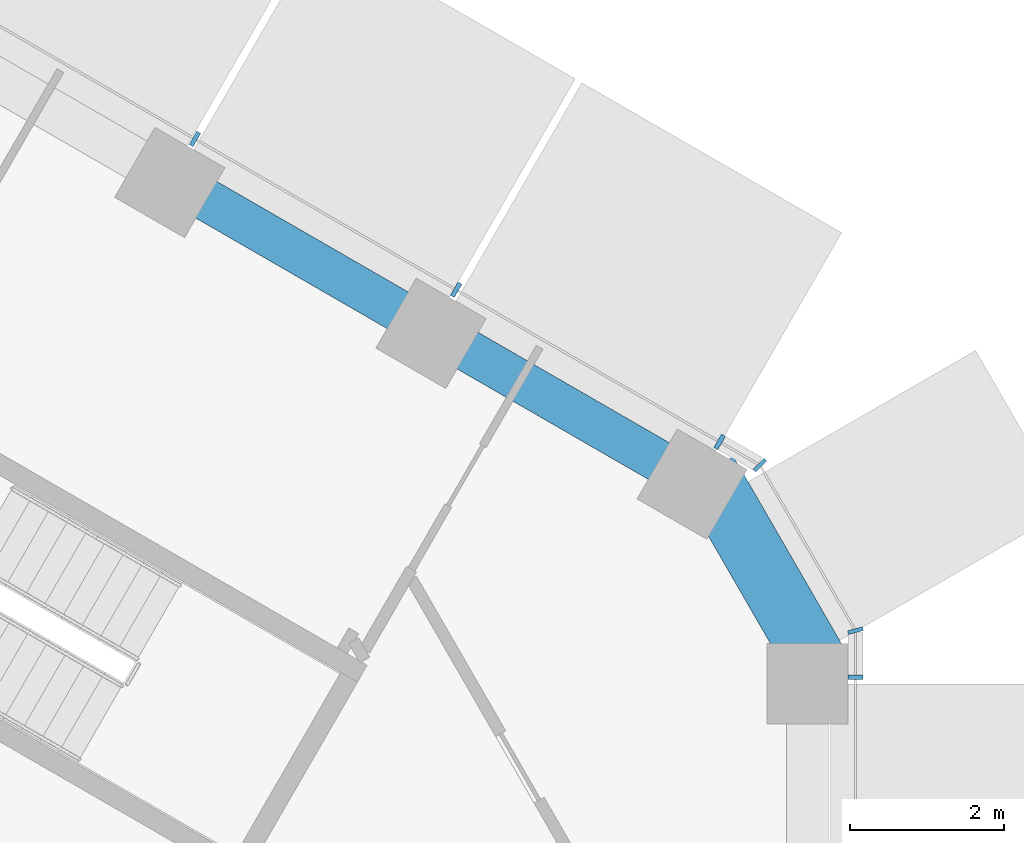
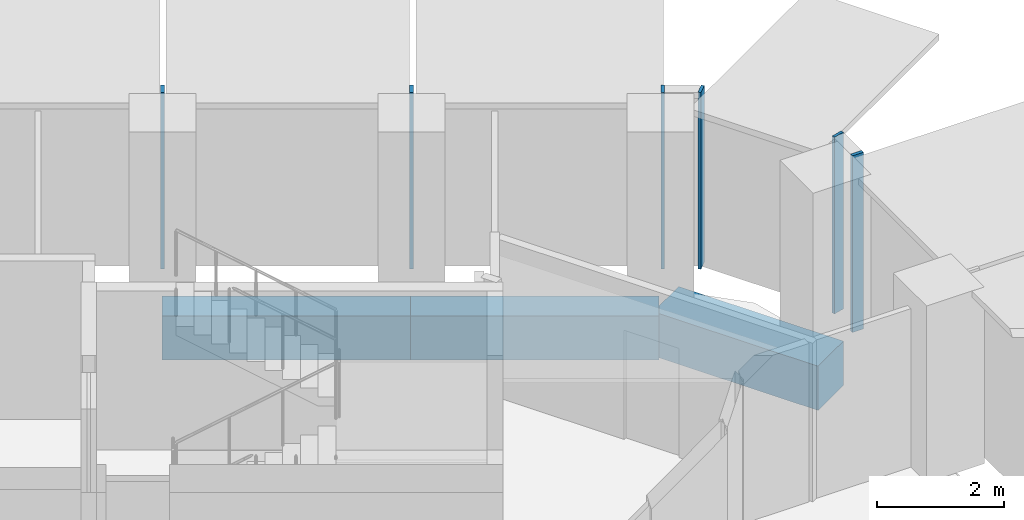
# One storey, part 6 of 18: 6 members, 3 beams, 3 elements without a shape of their own.
"""IFC4 building model written with IfcOpenShell, lengths in metres."""

import ifcopenshell
import ifcopenshell.guid

model = None  # the IFC model being written
_history = None  # IfcOwnerHistory: only IFC2X3 demands one
_inside = {}  # id of a spatial element -> (the spatial element, [elements in it])
_under = {}  # id of a project, library or spatial element -> (it, [spatial elements below it])
_declared = {}  # id of a project -> (the project, [libraries it declares])
_typed = {}  # id of a type object -> (the type object, [elements of that type])
_made_of = {}  # id of a material, layer set ... -> (it, [elements and type objects made of it])


def new_model(schema):
    """Start an empty IFC model of exactly this schema.

    Asked for "IFC4X3", IfcOpenShell would pick the latest addendum, in which some entities
    have other attributes; the version numbers below select the first issue.
    IFC2X3 requires an IfcOwnerHistory on every rooted entity: one is made here for all.
    """
    global model, _history
    if schema == "IFC4X3":
        model = ifcopenshell.file(schema_version=(4, 3, 0, 0))
    else:
        model = ifcopenshell.file(schema=schema)
    _inside.clear()
    _under.clear()
    _declared.clear()
    _typed.clear()
    _made_of.clear()
    _history = None
    if model.schema == "IFC2X3":
        org = make("IfcOrganization", Name="unknown")
        user = make(
            "IfcPersonAndOrganization",
            ThePerson=make("IfcPerson", FamilyName="unknown"),
            TheOrganization=org,
        )
        app = make(
            "IfcApplication",
            ApplicationDeveloper=org,
            Version="unknown",
            ApplicationFullName="unknown",
            ApplicationIdentifier="unknown",
        )
        _history = make(
            "IfcOwnerHistory",
            OwningUser=user,
            OwningApplication=app,
            ChangeAction="ADDED",
            CreationDate=0,
        )
    return model


def make(cls, **values):
    """One entity of the class cls with the attributes given. An attribute that is None is left unset."""
    return model.create_entity(
        cls, **{name: value for name, value in values.items() if value is not None}
    )


def rooted(cls, **values):
    """An entity with a GlobalId (a new one), such as an element, a storey or a relation."""
    return make(cls, GlobalId=ifcopenshell.guid.new(), OwnerHistory=_history, **values)


def si_unit(unit_type, name, prefix=None):
    """IfcSIUnit, for example si_unit("LENGTHUNIT", "METRE", prefix="MILLI")."""
    return make("IfcSIUnit", UnitType=unit_type, Prefix=prefix, Name=name)


def assignment(units):
    """IfcUnitAssignment: the units of a project."""
    return None if units is None else make("IfcUnitAssignment", Units=units)


def point(xyz):
    """IfcCartesianPoint."""
    return None if xyz is None else make("IfcCartesianPoint", Coordinates=xyz)


def direction(xyz):
    """IfcDirection."""
    return None if xyz is None else make("IfcDirection", DirectionRatios=xyz)


def frame(location, z_axis=None, x_axis=None):
    """IfcAxis2Placement3D, a coordinate frame: its origin and axes. An axis left out is left unset."""
    return make(
        "IfcAxis2Placement3D",
        Location=point(location),
        Axis=direction(z_axis),
        RefDirection=direction(x_axis),
    )


def frame_2d(location, x_axis=None):
    """IfcAxis2Placement2D, a coordinate frame in the plane: its origin and x axis."""
    return make(
        "IfcAxis2Placement2D", Location=point(location), RefDirection=direction(x_axis)
    )


def origin():
    """The frame at (0, 0, 0) with its axes left unset."""
    return frame((0.0, 0.0, 0.0))


def origin_2d():
    """The frame at (0, 0) in the plane with its x axis left unset."""
    return frame_2d((0.0, 0.0))


def place(relative_to, where):
    """IfcLocalPlacement: puts the frame where relative to a parent placement (None: the world)."""
    return make(
        "IfcLocalPlacement", PlacementRelTo=relative_to, RelativePlacement=where
    )


def context(
    kind, dimensions, precision=None, world=None, true_north=None, identifier=None
):
    """IfcGeometricRepresentationContext, for example the 3D "Model" context."""
    return make(
        "IfcGeometricRepresentationContext",
        ContextIdentifier=identifier,
        ContextType=kind,
        CoordinateSpaceDimension=dimensions,
        Precision=precision,
        WorldCoordinateSystem=world,
        TrueNorth=true_north,
    )


def subcontext(parent, identifier, kind, view, scale=None):
    """IfcGeometricRepresentationSubContext, for example "Body" below "Model"."""
    return make(
        "IfcGeometricRepresentationSubContext",
        ContextIdentifier=identifier,
        ContextType=kind,
        ParentContext=parent,
        TargetScale=scale,
        TargetView=view,
    )


def project(units=None, contexts=None):
    """IfcProject with its units and contexts."""
    return rooted(
        "IfcProject",
        Name="project",
        RepresentationContexts=contexts,
        UnitsInContext=assignment(units),
    )


def spatial(cls, under=None, at=None, **own):
    """A site, building, storey or space (cls), placed at a placement, below another one or the project."""
    s = rooted(cls, ObjectPlacement=at, **own)
    if under is not None:
        _under.setdefault(under.id(), (under, []))[1].append(s)
    return s


def profile(cls, at=None, kind="AREA", **sizes):
    """A parametric profile (cls). Its sizes go by their IFC names, for example OverallWidth=200.0."""
    return make(cls, ProfileType=kind, Position=at, **sizes)


def rectangle(**sizes):
    """IfcRectangleProfileDef."""
    return profile("IfcRectangleProfileDef", **sizes)


def extrude(swept, where, along, depth):
    """IfcExtrudedAreaSolid: the profile swept, set in the frame where, extruded along a direction by depth."""
    return make(
        "IfcExtrudedAreaSolid",
        SweptArea=swept,
        Position=where,
        ExtrudedDirection=direction(along),
        Depth=depth,
    )


def shape(context_of_items, identifier, shape_type, items):
    """IfcShapeRepresentation: the items that make up one representation, for example the "Body"."""
    return make(
        "IfcShapeRepresentation",
        ContextOfItems=context_of_items,
        RepresentationIdentifier=identifier,
        RepresentationType=shape_type,
        Items=items,
    )


def material(Name=None, Category=None):
    """IfcMaterial."""
    return make("IfcMaterial", Name=Name, Category=Category)


def layer(
    of_material, thickness, ventilated=None, Name=None, Category=None, Priority=None
):
    """IfcMaterialLayer: one layer of a wall or slab, of a material (None: an air gap)."""
    return make(
        "IfcMaterialLayer",
        Material=of_material,
        LayerThickness=thickness,
        IsVentilated=ventilated,
        Name=Name,
        Category=Category,
        Priority=Priority,
    )


def layer_set(layers, Name=None):
    """IfcMaterialLayerSet."""
    return make("IfcMaterialLayerSet", MaterialLayers=layers, LayerSetName=Name)


def material_profile(
    of_material, cross_section, Name=None, Category=None, Priority=None
):
    """IfcMaterialProfile: a cross section and its material."""
    return make(
        "IfcMaterialProfile",
        Name=Name,
        Material=of_material,
        Profile=cross_section,
        Priority=Priority,
        Category=Category,
    )


def profile_set(profiles, Name=None, composite=None):
    """IfcMaterialProfileSet."""
    return make(
        "IfcMaterialProfileSet",
        Name=Name,
        MaterialProfiles=profiles,
        CompositeProfile=composite,
    )


def made_of(thing, what):
    """Note that an element or type object is made of a material, layer set ...; save() writes the relation."""
    if what is not None:
        _made_of.setdefault(what.id(), (what, []))[1].append(thing)
    return thing


def type_object(cls, material=None, **own):
    """A type object (cls), such as IfcWallType, which elements share."""
    return made_of(rooted(cls, **own), material)


def element(
    cls,
    number,
    at=None,
    inside=None,
    cuts=None,
    type_object=None,
    material=None,
    context=None,
    identifier="Body",
    shape_type=None,
    held_by="IfcProductDefinitionShape",
    body=None,
    shapes=None,
    **own,
):
    """One element of the class cls, such as IfcWall. Its Tag is "e" and its number.

    at: its placement. inside: the storey or other place that contains it. cuts: it is an
    opening in that element (IfcRelVoidsElement). A single representation is given by context,
    identifier, shape_type and body (its items); several are given by shapes. held_by: the class
    of the entity that holds the representations. save() writes the other relations.
    """
    e = rooted(cls, Tag="e%d" % number, ObjectPlacement=at, **own)
    if body is not None:
        shapes = [shape(context, identifier, shape_type, body)]
    if shapes is not None:
        e.Representation = make(held_by, Representations=shapes)
    if inside is not None:
        _inside.setdefault(inside.id(), (inside, []))[1].append(e)
    if cuts is not None:
        rooted(
            "IfcRelVoidsElement", RelatingBuildingElement=cuts, RelatedOpeningElement=e
        )
    if type_object is not None:
        _typed.setdefault(type_object.id(), (type_object, []))[1].append(e)
    return made_of(e, material)


def aggregate(whole, parts):
    """IfcRelAggregates: a whole, such as a stair, and the parts it consists of."""
    return rooted("IfcRelAggregates", RelatingObject=whole, RelatedObjects=parts)


def save(model, path):
    """Write the relations noted so far, then the file.

    IfcRelAggregates (storeys below a building ...), IfcRelContainedInSpatialStructure (elements
    in a storey), IfcRelDefinesByType, IfcRelAssociatesMaterial and IfcRelDeclares: one each for
    every whole, place, type object, material and project.
    """
    for whole, parts in _under.values():
        aggregate(whole, parts)
    for where, things in _inside.values():
        rooted(
            "IfcRelContainedInSpatialStructure",
            RelatedElements=things,
            RelatingStructure=where,
        )
    for kind, things in _typed.values():
        rooted("IfcRelDefinesByType", RelatedObjects=things, RelatingType=kind)
    for what, things in _made_of.values():
        rooted("IfcRelAssociatesMaterial", RelatedObjects=things, RelatingMaterial=what)
    for by, libraries in _declared.values():
        rooted("IfcRelDeclares", RelatingContext=by, RelatedDefinitions=libraries)
    model.write(path)


model = new_model("IFC4")

# Units and contexts
model_context = context("Model", 3, precision=1e-05, world=origin(), true_north=direction((0.0, 1.0)))
body_context = subcontext(model_context, "Body", "Model", "MODEL_VIEW")
ifc_project = project(units=[si_unit("LENGTHUNIT", "METRE"), si_unit("AREAUNIT", "SQUARE_METRE"), si_unit("VOLUMEUNIT", "CUBIC_METRE"), si_unit("PLANEANGLEUNIT", "RADIAN"), si_unit("MASSUNIT", "GRAM", prefix="KILO")], contexts=[model_context])

# Site, building, storey
site_placement = place(None, origin())
site = spatial("IfcSite", under=ifc_project, at=site_placement, CompositionType="ELEMENT")
building_placement = place(site_placement, origin())
building = spatial("IfcBuilding", under=site, at=building_placement, Name="Ayvan Gate Tower", CompositionType="ELEMENT")
storey_placement = place(building_placement, frame((0.0, 0.0, 110.300048828125)))
storey = spatial("IfcBuildingStorey", under=building, at=storey_placement, Name="L29", CompositionType="ELEMENT", Elevation=110.300048828125)

# Beams
ifc_material_1 = material(Name="Concrete C40/50", Category="concrete")
ifc_material_profile_1 = material_profile(ifc_material_1, rectangle(XDim=0.800048828125, YDim=0.85009765625, at=origin_2d()), Name="RC 800x850")
ifc_profile_set_1 = profile_set([ifc_material_profile_1], Name="Concrete C40/50")
beam_type_1 = type_object("IfcBeamType", Name="Corner spandrel beam RC 800x850 C40/50", PredefinedType="BEAM", material=ifc_profile_set_1)
beam_placement = place(storey_placement, frame((19.676025390625, 9.095458984375, -0.775146484375), z_axis=(-0.50002537861, 0.866010750942, 0.0), x_axis=(-0.866010750942, -0.50002537861, 0.0)))
element("IfcBeam", 1, at=beam_placement, inside=storey, type_object=beam_type_1, Name="SB-L29-6", PredefinedType="BEAM", context=body_context, shape_type="SweptSolid", body=[
    extrude(rectangle(XDim=0.800048828125, YDim=0.85009765625, at=origin_2d()), origin(), (0.0, 0.0, 1.0), 2.999755859375),
])
ifc_material_profile_2 = material_profile(ifc_material_1, rectangle(XDim=0.550048828125, YDim=0.85009765625, at=origin_2d()), Name="RC 550x850")
ifc_profile_set_2 = profile_set([ifc_material_profile_2], Name="Concrete C40/50")
beam_type_2 = type_object("IfcBeamType", Name="Spandrel beam RC 550x850 C40/50", PredefinedType="BEAM", material=ifc_profile_set_2)
for number, where, z_axis, x_axis, name in (
    (2, (17.985595703125, 11.58349609375, -0.775146484375), (-0.866034960037, 0.49998344772, 0.0), (-0.49998344772, -0.866034960037, 0.0), "SB-L29-7"),
    (3, (14.59619140625, 13.540283203125, -0.775146484375), (-0.866034960037, 0.49998344772, 0.0), (-0.49998344772, -0.866034960037, 0.0), "SB-L29-8"),
):
    element("IfcBeam", number, at=place(storey_placement, frame(where, z_axis=z_axis, x_axis=x_axis)), inside=storey, type_object=beam_type_2, Name=name, PredefinedType="BEAM", context=body_context, shape_type="SweptSolid", body=[
        extrude(rectangle(XDim=0.550048828125, YDim=0.85009765625, at=origin_2d()), origin(), (0.0, 0.0, 1.0), 3.913818359375),
    ])

# Curtain wall, member
ifc_material_2 = material(Name="Bronze anodised aluminium", Category="aluminium")
ifc_layer_1 = layer(ifc_material_2, 0.199951171875)
ifc_layer_set_1 = layer_set([ifc_layer_1], Name="Bronze anodised aluminium")
curtain_wall_type_1 = type_object("IfcCurtainWallType", Name="Stick curtain wall CW-1", PredefinedType="NOTDEFINED", material=ifc_layer_set_1)
curtain_wall_1_placement = place(storey_placement, origin())
curtain_wall_1 = element("IfcCurtainWall", 4, at=curtain_wall_1_placement, inside=storey, type_object=curtain_wall_type_1, Name="Stick curtain wall CW-1 L29", PredefinedType="NOTDEFINED")
ifc_material_profile_3 = material_profile(ifc_material_2, rectangle(XDim=0.199951171875, YDim=0.06005859375, at=origin_2d()), Name="Stick curtain wall CW-1 mullion 200 x 60")
ifc_profile_set_3 = profile_set([ifc_material_profile_3], Name="Bronze anodised aluminium")
member_type_1 = type_object("IfcMemberType", Name="Stick curtain wall CW-1 mullion 200 x 60", PredefinedType="MULLION", material=ifc_profile_set_3)
member_1_placement = place(storey_placement, frame((20.110595703125, 9.02197265625, 0.0), z_axis=(0.0, 0.0, 1.0), x_axis=(1.0, 0.0, 0.0)))
member_1 = element("IfcMember", 5, at=member_1_placement, type_object=member_type_1, Name="CW-1 mullion 6", PredefinedType="MULLION", context=body_context, shape_type="SweptSolid", body=[
    extrude(rectangle(XDim=0.199951171875, YDim=0.06005859375, at=origin_2d()), origin(), (0.0, 0.0, 1.0), 3.39990234375),
])
aggregate(curtain_wall_1, [member_1])

# Curtain wall, members
curtain_wall_2_placement = place(storey_placement, origin())
curtain_wall_2 = element("IfcCurtainWall", 6, at=curtain_wall_2_placement, inside=storey, type_object=curtain_wall_type_1, Name="Stick curtain wall CW-1 L29", PredefinedType="NOTDEFINED")
member_2_placement = place(storey_placement, frame((18.34326171875, 12.0830078125, 0.0), z_axis=(0.0, 0.0, 1.0), x_axis=(0.5, 0.866025403784, 0.0)))
member_2 = element("IfcMember", 7, at=member_2_placement, type_object=member_type_1, Name="CW-1 mullion 1", PredefinedType="MULLION", context=body_context, shape_type="SweptSolid", body=[
    extrude(rectangle(XDim=0.199951171875, YDim=0.06005859375, at=origin_2d()), origin(), (0.0, 0.0, 1.0), 3.39990234375),
])
member_3_placement = place(storey_placement, frame((14.914794921875, 14.0625, 0.0), z_axis=(0.0, 0.0, 1.0), x_axis=(0.5, 0.866025403784, 0.0)))
member_3 = element("IfcMember", 8, at=member_3_placement, type_object=member_type_1, Name="CW-1 mullion 2", PredefinedType="MULLION", context=body_context, shape_type="SweptSolid", body=[
    extrude(rectangle(XDim=0.199951171875, YDim=0.06005859375, at=origin_2d()), origin(), (0.0, 0.0, 1.0), 3.39990234375),
])
member_4_placement = place(storey_placement, frame((11.516357421875, 16.0244140625, 0.0), z_axis=(0.0, 0.0, 1.0), x_axis=(0.5, 0.866025403784, 0.0)))
member_4 = element("IfcMember", 9, at=member_4_placement, type_object=member_type_1, Name="CW-1 mullion 3", PredefinedType="MULLION", context=body_context, shape_type="SweptSolid", body=[
    extrude(rectangle(XDim=0.199951171875, YDim=0.06005859375, at=origin_2d()), origin(), (0.0, 0.0, 1.0), 3.39990234375),
])
aggregate(curtain_wall_2, [member_2, member_3, member_4])

ifc_layer_2 = layer(ifc_material_2, 0.199951171875)
ifc_layer_set_2 = layer_set([ifc_layer_2], Name="Bronze anodised aluminium")
curtain_wall_type_2 = type_object("IfcCurtainWallType", Name="Stick curtain wall CW-6", PredefinedType="NOTDEFINED", material=ifc_layer_set_2)
curtain_wall_3_placement = place(storey_placement, origin())
curtain_wall_3 = element("IfcCurtainWall", 10, at=curtain_wall_3_placement, inside=storey, type_object=curtain_wall_type_2, Name="Stick curtain wall CW-6 L29", PredefinedType="NOTDEFINED")
ifc_material_profile_4 = material_profile(ifc_material_2, rectangle(XDim=0.199951171875, YDim=0.050048828125, at=origin_2d()), Name="Stick curtain wall CW-6 mullion 200 x 50")
ifc_profile_set_4 = profile_set([ifc_material_profile_4], Name="Bronze anodised aluminium")
member_type_2 = type_object("IfcMemberType", Name="Stick curtain wall CW-6 mullion 200 x 50", PredefinedType="MULLION", material=ifc_profile_set_4)
member_5_placement = place(storey_placement, frame((20.110595703125, 9.626953125, 0.0), z_axis=(0.0, 0.0, 1.0), x_axis=(0.965925826289, 0.258819045103, 0.0)))
member_5 = element("IfcMember", 11, at=member_5_placement, type_object=member_type_2, Name="CW-6 mullion 2", PredefinedType="MULLION", context=body_context, shape_type="SweptSolid", body=[
    extrude(rectangle(XDim=0.199951171875, YDim=0.050048828125, at=origin_2d()), origin(), (0.0, 0.0, 1.0), 3.39990234375),
])
member_6_placement = place(storey_placement, frame((18.8671875, 11.780517578125, 0.0), z_axis=(0.0, 0.0, 1.0), x_axis=(0.707106781187, 0.707106781187, 0.0)))
member_6 = element("IfcMember", 12, at=member_6_placement, type_object=member_type_2, Name="CW-6 mullion 3", PredefinedType="MULLION", context=body_context, shape_type="SweptSolid", body=[
    extrude(rectangle(XDim=0.199951171875, YDim=0.050048828125, at=origin_2d()), origin(), (0.0, 0.0, 1.0), 3.39990234375),
])
aggregate(curtain_wall_3, [member_5, member_6])

save(model, "model.ifc")
